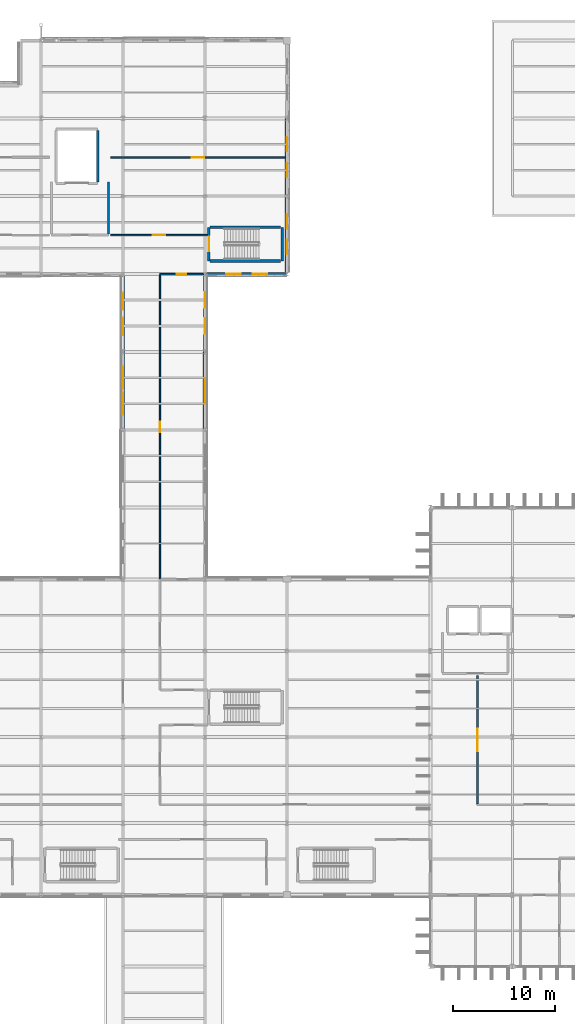
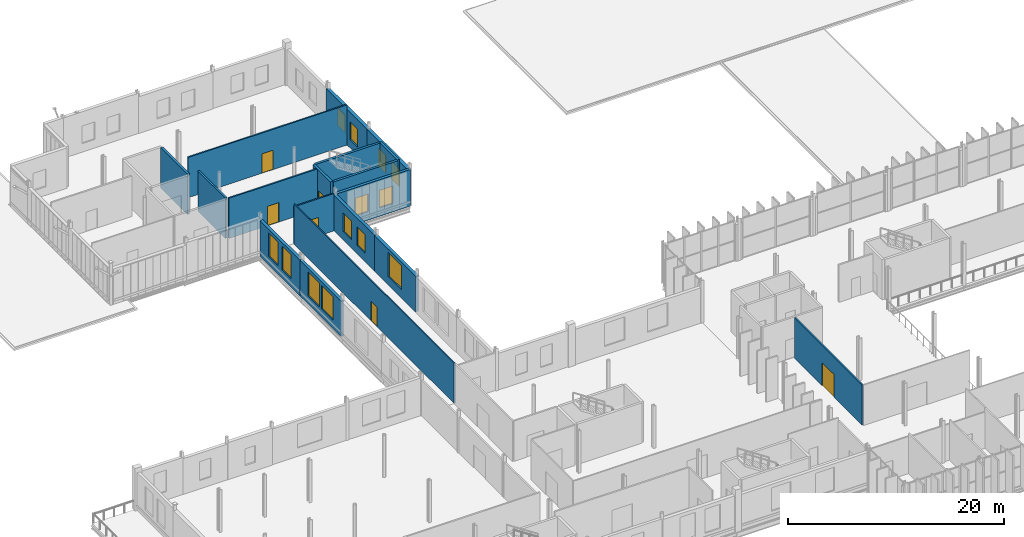
# One storey, part 98 of 120: 18 walls, 13 windows, 6 doors, 19 openings.
"""IFC4 building model written with IfcOpenShell, lengths in metres."""

from ifc_helpers import new_model, si_unit, direction, frame, frame_2d, origin, place, context, subcontext, project, spatial, rectangle, extrude, material, layer, layer_set, type_object, element, fill, save


model = new_model("IFC4")

# Units and contexts
model_context = context("Model", 3, precision=1e-05, world=origin(), true_north=direction((0.0, 1.0)))
body_context = subcontext(model_context, "Body", "Model", "MODEL_VIEW")
ifc_project = project(units=[si_unit("LENGTHUNIT", "METRE"), si_unit("AREAUNIT", "SQUARE_METRE"), si_unit("VOLUMEUNIT", "CUBIC_METRE"), si_unit("PLANEANGLEUNIT", "RADIAN"), si_unit("MASSUNIT", "GRAM", prefix="KILO")], contexts=[model_context])

# Site, building, storey
site_placement = place(None, origin())
site = spatial("IfcSite", under=ifc_project, at=site_placement, CompositionType="ELEMENT")
building_placement = place(site_placement, origin())
building = spatial("IfcBuilding", under=site, at=building_placement, Name="Vekula Escarpment Museum", CompositionType="ELEMENT")
storey_placement = place(building_placement, frame((0.0, 0.0, 13.199951171875)))
storey = spatial("IfcBuildingStorey", under=building, at=storey_placement, Name="L03", CompositionType="ELEMENT", Elevation=13.199951171875)

# Wall, openings, windows
ifc_material_1 = material(Name="Inkisi arkosic sandstone masonry", Category="masonry")
ifc_layer_1 = layer(ifc_material_1, 0.300048828125)
ifc_layer_set_1 = layer_set([ifc_layer_1], Name="Inkisi arkosic sandstone masonry")
wall_type_1 = type_object("IfcWallType", Name="WL-ALM-300", PredefinedType="SOLIDWALL", material=ifc_layer_set_1)
wall_1_placement = place(storey_placement, frame((56.0, 113.199951171875, 0.0), z_axis=(0.0, 0.0, 1.0), x_axis=(-1.0, 0.0, 0.0)))
wall_1 = element("IfcWall", 1, at=wall_1_placement, inside=storey, type_object=wall_type_1, Name="Exterior Wall WL-EXT-L03-0655", PredefinedType="SOLIDWALL", context=body_context, shape_type="SweptSolid", body=[
    extrude(rectangle(XDim=7.8359375, YDim=0.300048828125, at=frame_2d((3.91796875, 0.0))), origin(), (0.0, 0.0, 1.0), 4.14501953125),
])
opening_1_placement = place(wall_1_placement, frame((1.912109375, 0.0, 0.949951171875)))
opening_1 = element("IfcOpeningElement", 2, at=opening_1_placement, cuts=wall_1, Name="Opening WN-09", PredefinedType="OPENING", context=body_context, shape_type="SweptSolid", body=[
    extrude(rectangle(XDim=1.39990234375, YDim=2.0, at=frame_2d((0.699951171875, 1.0))), frame((0.0, 0.159912109375, 0.0), z_axis=(0.0, -1.0, 0.0), x_axis=(1.0, 0.0, 0.0)), (0.0, 0.0, 1.0), 0.320068359375),
])
opening_2_placement = place(wall_1_placement, frame((4.52392578125, 0.0, 0.949951171875)))
opening_2 = element("IfcOpeningElement", 3, at=opening_2_placement, cuts=wall_1, Name="Opening WN-09", PredefinedType="OPENING", context=body_context, shape_type="SweptSolid", body=[
    extrude(rectangle(XDim=1.39990234375, YDim=2.0, at=frame_2d((0.699951171875, 1.0))), frame((0.0, 0.159912109375, 0.0), z_axis=(0.0, -1.0, 0.0), x_axis=(1.0, 0.0, 0.0)), (0.0, 0.0, 1.0), 0.320068359375),
])
ifc_material_2 = material(Name="Double solar-control low-E glass", Category="glass")
window_type_1 = type_object("IfcWindowType", Name="WN-LAB-14x20", PartitioningType="SINGLE_PANEL", PredefinedType="WINDOW", material=ifc_material_2)
window_1_placement = place(opening_1_placement, origin())
window_1 = element("IfcWindow", 4, at=window_1_placement, inside=storey, type_object=window_type_1, Name="Window L03-0318", OverallHeight=2.0, OverallWidth=1.39990234375, PartitioningType="SINGLE_PANEL", PredefinedType="WINDOW", context=body_context, shape_type="SweptSolid", body=[
    extrude(rectangle(XDim=1.39990234375, YDim=2.0, at=frame_2d((0.699951171875, 1.0))), frame((0.0, 0.030029296875, 0.0), z_axis=(0.0, -1.0, 0.0), x_axis=(1.0, 0.0, 0.0)), (0.0, 0.0, 1.0), 0.06005859375),
])
fill(opening_1, window_1)
window_2_placement = place(opening_2_placement, origin())
window_2 = element("IfcWindow", 5, at=window_2_placement, inside=storey, type_object=window_type_1, Name="Window L03-0319", OverallHeight=2.0, OverallWidth=1.39990234375, PartitioningType="SINGLE_PANEL", PredefinedType="WINDOW", context=body_context, shape_type="SweptSolid", body=[
    extrude(rectangle(XDim=1.39990234375, YDim=2.0, at=frame_2d((0.699951171875, 1.0))), frame((0.0, 0.030029296875, 0.0), z_axis=(0.0, -1.0, 0.0), x_axis=(1.0, 0.0, 0.0)), (0.0, 0.0, 1.0), 0.06005859375),
])
fill(opening_2, window_2)

wall_2_placement = place(storey_placement, frame((40.0, 98.0, 0.0), z_axis=(0.0, 0.0, 1.0), x_axis=(0.0, 1.0, 0.0)))
wall_2 = element("IfcWall", 6, at=wall_2_placement, inside=storey, type_object=wall_type_1, Name="Exterior Wall WL-EXT-L03-0671", PredefinedType="SOLIDWALL", context=body_context, shape_type="SweptSolid", body=[
    extrude(rectangle(XDim=7.60009765625, YDim=0.300048828125, at=frame_2d((3.800048828125, 0.0))), origin(), (0.0, 0.0, 1.0), 4.045166015625),
])
opening_3_placement = place(wall_2_placement, frame((1.458251953125, 0.0, 0.949951171875)))
opening_3 = element("IfcOpeningElement", 7, at=opening_3_placement, cuts=wall_2, Name="Opening WN-21", PredefinedType="OPENING", context=body_context, shape_type="SweptSolid", body=[
    extrude(rectangle(XDim=2.14990234375, YDim=2.699951171875, at=frame_2d((1.074951171875, 1.35009765625))), frame((0.0, 0.159912109375, 0.0), z_axis=(0.0, -1.0, 0.0), x_axis=(1.0, 0.0, 0.0)), (0.0, 0.0, 1.0), 0.320068359375),
])
opening_4_placement = place(wall_2_placement, frame((3.99169921875, 0.0, 0.949951171875)))
opening_4 = element("IfcOpeningElement", 8, at=opening_4_placement, cuts=wall_2, Name="Opening WN-21", PredefinedType="OPENING", context=body_context, shape_type="SweptSolid", body=[
    extrude(rectangle(XDim=2.14990234375, YDim=2.699951171875, at=frame_2d((1.074951171875, 1.35009765625))), frame((0.0, 0.159912109375, 0.0), z_axis=(0.0, -1.0, 0.0), x_axis=(1.0, 0.0, 0.0)), (0.0, 0.0, 1.0), 0.320068359375),
])
ifc_material_3 = material(Name="Double solar-control low-E glass", Category="glass")
window_type_2 = type_object("IfcWindowType", Name="WN-GAL-21x31", PartitioningType="DOUBLE_PANEL_VERTICAL", PredefinedType="WINDOW", material=ifc_material_3)
window_3_placement = place(opening_3_placement, origin())
window_3 = element("IfcWindow", 9, at=window_3_placement, inside=storey, type_object=window_type_2, Name="Window L03-0343", OverallHeight=2.699951171875, OverallWidth=2.14990234375, PartitioningType="SINGLE_PANEL", PredefinedType="WINDOW", context=body_context, shape_type="SweptSolid", body=[
    extrude(rectangle(XDim=2.14990234375, YDim=2.699951171875, at=frame_2d((1.074951171875, 1.35009765625))), frame((0.0, 0.030029296875, 0.0), z_axis=(0.0, -1.0, 0.0), x_axis=(1.0, 0.0, 0.0)), (0.0, 0.0, 1.0), 0.06005859375),
])
fill(opening_3, window_3)
window_4_placement = place(opening_4_placement, origin())
window_4 = element("IfcWindow", 10, at=window_4_placement, inside=storey, type_object=window_type_2, Name="Window L03-0344", OverallHeight=2.699951171875, OverallWidth=2.14990234375, PartitioningType="SINGLE_PANEL", PredefinedType="WINDOW", context=body_context, shape_type="SweptSolid", body=[
    extrude(rectangle(XDim=2.14990234375, YDim=2.699951171875, at=frame_2d((1.074951171875, 1.35009765625))), frame((0.0, 0.030029296875, 0.0), z_axis=(0.0, -1.0, 0.0), x_axis=(1.0, 0.0, 0.0)), (0.0, 0.0, 1.0), 0.06005859375),
])
fill(opening_4, window_4)

ifc_material_4 = material(Name="Inkisi arkosic sandstone masonry", Category="masonry")
ifc_layer_2 = layer(ifc_material_4, 0.320068359375)
ifc_layer_set_2 = layer_set([ifc_layer_2], Name="Inkisi arkosic sandstone masonry")
wall_type_2 = type_object("IfcWallType", Name="WL-ALM-320", PredefinedType="SOLIDWALL", material=ifc_layer_set_2)
wall_3_placement = place(storey_placement, frame((48.0, 113.199951171875, 0.0), z_axis=(0.0, 0.0, 1.0), x_axis=(0.0, -1.0, 0.0)))
wall_3 = element("IfcWall", 11, at=wall_3_placement, inside=storey, type_object=wall_type_2, Name="Exterior Wall WL-EXT-L03-0654", PredefinedType="SOLIDWALL", context=body_context, shape_type="SweptSolid", body=[
    extrude(rectangle(XDim=7.599853515625, YDim=0.320068359375, at=frame_2d((3.7998046875, 0.0))), origin(), (0.0, 0.0, 1.0), 4.045166015625),
])
opening_5_placement = place(wall_3_placement, frame((1.75830078125, 0.0, 0.949951171875)))
opening_5 = element("IfcOpeningElement", 12, at=opening_5_placement, cuts=wall_3, Name="Opening WN-24", PredefinedType="OPENING", context=body_context, shape_type="SweptSolid", body=[
    extrude(rectangle(XDim=1.550048828125, YDim=2.10009765625, at=frame_2d((0.77490234375, 1.050048828125))), frame((0.0, 0.169921875, 0.0), z_axis=(0.0, -1.0, 0.0), x_axis=(1.0, 0.0, 0.0)), (0.0, 0.0, 1.0), 0.340087890625),
])
opening_6_placement = place(wall_3_placement, frame((4.291748046875, 0.0, 0.949951171875)))
opening_6 = element("IfcOpeningElement", 13, at=opening_6_placement, cuts=wall_3, Name="Opening WN-24", PredefinedType="OPENING", context=body_context, shape_type="SweptSolid", body=[
    extrude(rectangle(XDim=1.550048828125, YDim=2.10009765625, at=frame_2d((0.77490234375, 1.050048828125))), frame((0.0, 0.169921875, 0.0), z_axis=(0.0, -1.0, 0.0), x_axis=(1.0, 0.0, 0.0)), (0.0, 0.0, 1.0), 0.340087890625),
])
ifc_material_5 = material(Name="Double solar-control low-E glass", Category="glass")
window_type_3 = type_object("IfcWindowType", Name="WN-GAL-15x21", PartitioningType="SINGLE_PANEL", PredefinedType="WINDOW", material=ifc_material_5)
window_5_placement = place(opening_5_placement, origin())
window_5 = element("IfcWindow", 14, at=window_5_placement, inside=storey, type_object=window_type_3, Name="Window L03-0316", OverallHeight=2.10009765625, OverallWidth=1.550048828125, PartitioningType="SINGLE_PANEL", PredefinedType="WINDOW", context=body_context, shape_type="SweptSolid", body=[
    extrude(rectangle(XDim=1.550048828125, YDim=2.10009765625, at=frame_2d((0.77490234375, 1.050048828125))), frame((0.0, 0.030029296875, 0.0), z_axis=(0.0, -1.0, 0.0), x_axis=(1.0, 0.0, 0.0)), (0.0, 0.0, 1.0), 0.06005859375),
])
fill(opening_5, window_5)
window_6_placement = place(opening_6_placement, origin())
window_6 = element("IfcWindow", 15, at=window_6_placement, inside=storey, type_object=window_type_3, Name="Window L03-0317", OverallHeight=2.10009765625, OverallWidth=1.550048828125, PartitioningType="SINGLE_PANEL", PredefinedType="WINDOW", context=body_context, shape_type="SweptSolid", body=[
    extrude(rectangle(XDim=1.550048828125, YDim=2.10009765625, at=frame_2d((0.77490234375, 1.050048828125))), frame((0.0, 0.030029296875, 0.0), z_axis=(0.0, -1.0, 0.0), x_axis=(1.0, 0.0, 0.0)), (0.0, 0.0, 1.0), 0.06005859375),
])
fill(opening_6, window_6)

wall_4_placement = place(storey_placement, frame((40.0, 105.60009765625, 0.0), z_axis=(0.0, 0.0, 1.0), x_axis=(0.0, 1.0, 0.0)))
wall_4 = element("IfcWall", 16, at=wall_4_placement, inside=storey, type_object=wall_type_2, Name="Exterior Wall WL-EXT-L03-0670", PredefinedType="SOLIDWALL", context=body_context, shape_type="SweptSolid", body=[
    extrude(rectangle(XDim=7.4208984375, YDim=0.320068359375, at=frame_2d((3.71044921875, 0.0))), origin(), (0.0, 0.0, 1.0), 4.045166015625),
])
opening_7_placement = place(wall_4_placement, frame((1.623779296875, 0.0, 0.949951171875)))
opening_7 = element("IfcOpeningElement", 17, at=opening_7_placement, cuts=wall_4, Name="Opening WN-19", PredefinedType="OPENING", context=body_context, shape_type="SweptSolid", body=[
    extrude(rectangle(XDim=1.699951171875, YDim=2.699951171875, at=frame_2d((0.85009765625, 1.35009765625))), frame((0.0, 0.169921875, 0.0), z_axis=(0.0, -1.0, 0.0), x_axis=(1.0, 0.0, 0.0)), (0.0, 0.0, 1.0), 0.340087890625),
])
opening_8_placement = place(wall_4_placement, frame((4.097412109375, 0.0, 0.949951171875)))
opening_8 = element("IfcOpeningElement", 18, at=opening_8_placement, cuts=wall_4, Name="Opening WN-19", PredefinedType="OPENING", context=body_context, shape_type="SweptSolid", body=[
    extrude(rectangle(XDim=1.699951171875, YDim=2.699951171875, at=frame_2d((0.85009765625, 1.35009765625))), frame((0.0, 0.169921875, 0.0), z_axis=(0.0, -1.0, 0.0), x_axis=(1.0, 0.0, 0.0)), (0.0, 0.0, 1.0), 0.340087890625),
])
ifc_material_6 = material(Name="Double solar-control low-E glass", Category="glass")
window_type_4 = type_object("IfcWindowType", Name="WN-GAL-17x27", PartitioningType="DOUBLE_PANEL_VERTICAL", PredefinedType="WINDOW", material=ifc_material_6)
window_7_placement = place(opening_7_placement, origin())
window_7 = element("IfcWindow", 19, at=window_7_placement, inside=storey, type_object=window_type_4, Name="Window L03-0341", OverallHeight=2.699951171875, OverallWidth=1.699951171875, PartitioningType="SINGLE_PANEL", PredefinedType="WINDOW", context=body_context, shape_type="SweptSolid", body=[
    extrude(rectangle(XDim=1.699951171875, YDim=2.699951171875, at=frame_2d((0.85009765625, 1.35009765625))), frame((0.0, 0.030029296875, 0.0), z_axis=(0.0, -1.0, 0.0), x_axis=(1.0, 0.0, 0.0)), (0.0, 0.0, 1.0), 0.06005859375),
])
fill(opening_7, window_7)
window_8_placement = place(opening_8_placement, origin())
window_8 = element("IfcWindow", 20, at=window_8_placement, inside=storey, type_object=window_type_4, Name="Window L03-0342", OverallHeight=2.699951171875, OverallWidth=1.699951171875, PartitioningType="SINGLE_PANEL", PredefinedType="WINDOW", context=body_context, shape_type="SweptSolid", body=[
    extrude(rectangle(XDim=1.699951171875, YDim=2.699951171875, at=frame_2d((0.85009765625, 1.35009765625))), frame((0.0, 0.030029296875, 0.0), z_axis=(0.0, -1.0, 0.0), x_axis=(1.0, 0.0, 0.0)), (0.0, 0.0, 1.0), 0.06005859375),
])
fill(opening_8, window_8)

# Wall, opening, window
ifc_material_7 = material(Name="Inkisi arkosic sandstone masonry", Category="masonry")
ifc_layer_3 = layer(ifc_material_7, 0.35009765625)
ifc_layer_set_3 = layer_set([ifc_layer_3], Name="Inkisi arkosic sandstone masonry")
wall_type_3 = type_object("IfcWallType", Name="WL-ALM-350", PredefinedType="SOLIDWALL", material=ifc_layer_set_3)
wall_5_placement = place(storey_placement, frame((48.0, 105.60009765625, 0.0), z_axis=(0.0, 0.0, 1.0), x_axis=(0.0, -1.0, 0.0)))
wall_5 = element("IfcWall", 21, at=wall_5_placement, inside=storey, type_object=wall_type_3, Name="Exterior Wall WL-EXT-L03-0653", PredefinedType="SOLIDWALL", context=body_context, shape_type="SweptSolid", body=[
    extrude(rectangle(XDim=7.60009765625, YDim=0.35009765625, at=frame_2d((3.800048828125, 0.0))), origin(), (0.0, 0.0, 1.0), 4.045166015625),
])
opening_9_placement = place(wall_5_placement, frame((2.550048828125, 0.0, 0.949951171875)))
opening_9 = element("IfcOpeningElement", 22, at=opening_9_placement, cuts=wall_5, Name="Opening WN-23", PredefinedType="OPENING", context=body_context, shape_type="SweptSolid", body=[
    extrude(rectangle(XDim=2.5, YDim=2.699951171875, at=frame_2d((1.25, 1.35009765625))), frame((0.0, 0.18505859375, 0.0), z_axis=(0.0, -1.0, 0.0), x_axis=(1.0, 0.0, 0.0)), (0.0, 0.0, 1.0), 0.3701171875),
])
ifc_material_8 = material(Name="Double solar-control low-E glass", Category="glass")
window_type_5 = type_object("IfcWindowType", Name="WN-GAL-25x35", PartitioningType="TRIPLE_PANEL_VERTICAL", PredefinedType="WINDOW", material=ifc_material_8)
window_9_placement = place(opening_9_placement, origin())
window_9 = element("IfcWindow", 23, at=window_9_placement, inside=storey, type_object=window_type_5, Name="Window L03-0315", OverallHeight=2.699951171875, OverallWidth=2.5, PartitioningType="SINGLE_PANEL", PredefinedType="WINDOW", context=body_context, shape_type="SweptSolid", body=[
    extrude(rectangle(XDim=2.5, YDim=2.699951171875, at=frame_2d((1.25, 1.35009765625))), frame((0.0, 0.030029296875, 0.0), z_axis=(0.0, -1.0, 0.0), x_axis=(1.0, 0.0, 0.0)), (0.0, 0.0, 1.0), 0.06005859375),
])
fill(opening_9, window_9)

# Wall, openings, windows
wall_6_placement = place(storey_placement, frame((56.0, 128.39990234375, 0.0), z_axis=(0.0, 0.0, 1.0), x_axis=(0.0, -1.0, 0.0)))
wall_6 = element("IfcWall", 24, at=wall_6_placement, inside=storey, type_object=wall_type_3, Name="Exterior Wall WL-EXT-L03-0657", PredefinedType="SOLIDWALL", context=body_context, shape_type="SweptSolid", body=[
    extrude(rectangle(XDim=7.599853515625, YDim=0.35009765625, at=frame_2d((3.7998046875, 0.0))), origin(), (0.0, 0.0, 1.0), 4.045166015625),
])
opening_10_placement = place(wall_6_placement, frame((1.833251953125, 0.0, 0.949951171875)))
opening_10 = element("IfcOpeningElement", 25, at=opening_10_placement, cuts=wall_6, Name="Opening WN-09", PredefinedType="OPENING", context=body_context, shape_type="SweptSolid", body=[
    extrude(rectangle(XDim=1.39990234375, YDim=2.0, at=frame_2d((0.699951171875, 1.0))), frame((0.0, 0.18505859375, 0.0), z_axis=(0.0, -1.0, 0.0), x_axis=(1.0, 0.0, 0.0)), (0.0, 0.0, 1.0), 0.3701171875),
])
opening_11_placement = place(wall_6_placement, frame((4.36669921875, 0.0, 0.949951171875)))
opening_11 = element("IfcOpeningElement", 26, at=opening_11_placement, cuts=wall_6, Name="Opening WN-09", PredefinedType="OPENING", context=body_context, shape_type="SweptSolid", body=[
    extrude(rectangle(XDim=1.39990234375, YDim=2.0, at=frame_2d((0.699951171875, 1.0))), frame((0.0, 0.18505859375, 0.0), z_axis=(0.0, -1.0, 0.0), x_axis=(1.0, 0.0, 0.0)), (0.0, 0.0, 1.0), 0.3701171875),
])
window_10_placement = place(opening_10_placement, origin())
window_10 = element("IfcWindow", 27, at=window_10_placement, inside=storey, type_object=window_type_1, Name="Window L03-0322", OverallHeight=2.0, OverallWidth=1.39990234375, PartitioningType="SINGLE_PANEL", PredefinedType="WINDOW", context=body_context, shape_type="SweptSolid", body=[
    extrude(rectangle(XDim=1.39990234375, YDim=2.0, at=frame_2d((0.699951171875, 1.0))), frame((0.0, 0.030029296875, 0.0), z_axis=(0.0, -1.0, 0.0), x_axis=(1.0, 0.0, 0.0)), (0.0, 0.0, 1.0), 0.06005859375),
])
fill(opening_10, window_10)
window_11_placement = place(opening_11_placement, origin())
window_11 = element("IfcWindow", 28, at=window_11_placement, inside=storey, type_object=window_type_1, Name="Window L03-0323", OverallHeight=2.0, OverallWidth=1.39990234375, PartitioningType="SINGLE_PANEL", PredefinedType="WINDOW", context=body_context, shape_type="SweptSolid", body=[
    extrude(rectangle(XDim=1.39990234375, YDim=2.0, at=frame_2d((0.699951171875, 1.0))), frame((0.0, 0.030029296875, 0.0), z_axis=(0.0, -1.0, 0.0), x_axis=(1.0, 0.0, 0.0)), (0.0, 0.0, 1.0), 0.06005859375),
])
fill(opening_11, window_11)

ifc_material_9 = material(Name="Inkisi arkosic sandstone masonry", Category="masonry")
ifc_layer_4 = layer(ifc_material_9, 0.3798828125)
ifc_layer_set_4 = layer_set([ifc_layer_4], Name="Inkisi arkosic sandstone masonry")
wall_type_4 = type_object("IfcWallType", Name="WL-ALM-380", PredefinedType="SOLIDWALL", material=ifc_layer_set_4)
wall_7_placement = place(storey_placement, frame((56.0, 120.800048828125, 0.0), z_axis=(0.0, 0.0, 1.0), x_axis=(0.0, -1.0, 0.0)))
wall_7 = element("IfcWall", 29, at=wall_7_placement, inside=storey, type_object=wall_type_4, Name="Exterior Wall WL-EXT-L03-0656", PredefinedType="SOLIDWALL", context=body_context, shape_type="SweptSolid", body=[
    extrude(rectangle(XDim=7.446044921875, YDim=0.3798828125, at=frame_2d((3.72314453125, 0.0))), origin(), (0.0, 0.0, 1.0), 4.045166015625),
])
opening_12_placement = place(wall_7_placement, frame((1.781982421875, 0.0, 0.949951171875)))
opening_12 = element("IfcOpeningElement", 30, at=opening_12_placement, cuts=wall_7, Name="Opening WN-09", PredefinedType="OPENING", context=body_context, shape_type="SweptSolid", body=[
    extrude(rectangle(XDim=1.39990234375, YDim=2.0, at=frame_2d((0.699951171875, 1.0))), frame((0.0, 0.199951171875, 0.0), z_axis=(0.0, -1.0, 0.0), x_axis=(1.0, 0.0, 0.0)), (0.0, 0.0, 1.0), 0.39990234375),
])
opening_13_placement = place(wall_7_placement, frame((4.263916015625, 0.0, 0.949951171875)))
opening_13 = element("IfcOpeningElement", 31, at=opening_13_placement, cuts=wall_7, Name="Opening WN-09", PredefinedType="OPENING", context=body_context, shape_type="SweptSolid", body=[
    extrude(rectangle(XDim=1.39990234375, YDim=2.0, at=frame_2d((0.699951171875, 1.0))), frame((0.0, 0.199951171875, 0.0), z_axis=(0.0, -1.0, 0.0), x_axis=(1.0, 0.0, 0.0)), (0.0, 0.0, 1.0), 0.39990234375),
])
window_12_placement = place(opening_12_placement, origin())
window_12 = element("IfcWindow", 32, at=window_12_placement, inside=storey, type_object=window_type_1, Name="Window L03-0320", OverallHeight=2.0, OverallWidth=1.39990234375, PartitioningType="SINGLE_PANEL", PredefinedType="WINDOW", context=body_context, shape_type="SweptSolid", body=[
    extrude(rectangle(XDim=1.39990234375, YDim=2.0, at=frame_2d((0.699951171875, 1.0))), frame((0.0, 0.030029296875, 0.0), z_axis=(0.0, -1.0, 0.0), x_axis=(1.0, 0.0, 0.0)), (0.0, 0.0, 1.0), 0.06005859375),
])
fill(opening_12, window_12)
window_13_placement = place(opening_13_placement, origin())
window_13 = element("IfcWindow", 33, at=window_13_placement, inside=storey, type_object=window_type_1, Name="Window L03-0321", OverallHeight=2.0, OverallWidth=1.39990234375, PartitioningType="SINGLE_PANEL", PredefinedType="WINDOW", context=body_context, shape_type="SweptSolid", body=[
    extrude(rectangle(XDim=1.39990234375, YDim=2.0, at=frame_2d((0.699951171875, 1.0))), frame((0.0, 0.030029296875, 0.0), z_axis=(0.0, -1.0, 0.0), x_axis=(1.0, 0.0, 0.0)), (0.0, 0.0, 1.0), 0.06005859375),
])
fill(opening_13, window_13)

# Wall, opening, door
ifc_material_10 = material(Name="Concrete C35/45", Category="concrete")
ifc_layer_5 = layer(ifc_material_10, 0.25)
ifc_layer_set_5 = layer_set([ifc_layer_5], Name="Concrete C35/45")
wall_type_5 = type_object("IfcWallType", Name="WL-CORE-250", PredefinedType="SHEAR", material=ifc_layer_set_5)
wall_8_placement = place(storey_placement, frame((48.375, 114.47509765625, 0.0), z_axis=(0.0, 0.0, 1.0), x_axis=(0.0, 1.0, 0.0)))
wall_8 = element("IfcWall", 34, at=wall_8_placement, inside=storey, type_object=wall_type_5, Name="Stair Core Wall ST-03 L03 W", PredefinedType="SHEAR", context=body_context, shape_type="SweptSolid", body=[
    extrude(rectangle(XDim=3.289794921875, YDim=0.25, at=frame_2d((1.64501953125, 0.0))), origin(), (0.0, 0.0, 1.0), 4.56005859375),
])
opening_14_placement = place(wall_8_placement, frame((0.945068359375, 0.0, 0.0)))
opening_14 = element("IfcOpeningElement", 35, at=opening_14_placement, cuts=wall_8, Name="Opening DR-FD60", PredefinedType="OPENING", context=body_context, shape_type="SweptSolid", body=[
    extrude(rectangle(XDim=1.39990234375, YDim=2.199951171875, at=frame_2d((0.699951171875, 1.10009765625))), frame((0.0, 0.135009765625, 0.0), z_axis=(0.0, -1.0, 0.0), x_axis=(1.0, 0.0, 0.0)), (0.0, 0.0, 1.0), 0.27001953125),
])
ifc_material_11 = material(Name="Fire-rated steel stair door", Category="steel")
door_type_1 = type_object("IfcDoorType", Name="DR-STAIR-1400x2200", OperationType="NOTDEFINED", PredefinedType="DOOR", material=ifc_material_11)
door_1_placement = place(opening_14_placement, origin())
door_1 = element("IfcDoor", 36, at=door_1_placement, inside=storey, type_object=door_type_1, Name="Protected Exit Stair Door ST-03 L03", OperationType="SINGLE_SWING_RIGHT", OverallHeight=2.199951171875, OverallWidth=1.39990234375, PredefinedType="DOOR", context=body_context, shape_type="SweptSolid", body=[
    extrude(rectangle(XDim=1.39990234375, YDim=2.199951171875, at=frame_2d((0.699951171875, 1.10009765625))), frame((0.0, 0.02490234375, 0.0), z_axis=(0.0, -1.0, 0.0), x_axis=(1.0, 0.0, 0.0)), (0.0, 0.0, 1.0), 0.050048828125),
])
fill(opening_14, door_1)

# Walls
wall_9_placement = place(storey_placement, frame((55.52490234375, 114.47509765625, 0.0), z_axis=(0.0, 0.0, 1.0), x_axis=(0.0, 1.0, 0.0)))
element("IfcWall", 37, at=wall_9_placement, inside=storey, type_object=wall_type_5, Name="Stair Core Wall ST-03 L03 E", PredefinedType="SHEAR", context=body_context, shape_type="SweptSolid", body=[
    extrude(rectangle(XDim=3.289794921875, YDim=0.25, at=frame_2d((1.64501953125, 0.0))), origin(), (0.0, 0.0, 1.0), 4.56005859375),
])
for number, where, z_axis, x_axis, name in (
    (38, (48.50390625, 114.47509765625, 0.0), (0.0, 0.0, 1.0), (1.0, 0.0, 0.0), "Stair Core Wall ST-03 L03 S"),
    (39, (48.50390625, 117.764892578125, 0.0), (0.0, 0.0, 1.0), (1.0, 0.0, 0.0), "Stair Core Wall ST-03 L03 N"),
):
    element("IfcWall", number, at=place(storey_placement, frame(where, z_axis=z_axis, x_axis=x_axis)), inside=storey, type_object=wall_type_5, Name=name, PredefinedType="SHEAR", context=body_context, shape_type="SweptSolid", body=[
        extrude(rectangle(XDim=6.89208984375, YDim=0.25, at=frame_2d((3.446044921875, 0.0))), origin(), (0.0, 0.0, 1.0), 4.56005859375),
    ])
ifc_material_12 = material(Name="Concrete C35/45", Category="concrete")
ifc_layer_6 = layer(ifc_material_12, 0.199951171875)
ifc_layer_set_6 = layer_set([ifc_layer_6], Name="Concrete C35/45")
wall_type_6 = type_object("IfcWallType", Name="WL-FFL-200", PredefinedType="PARTITIONING", material=ifc_layer_set_6)
wall_10_placement = place(storey_placement, frame((38.60009765625, 117.10400390625, 0.0), z_axis=(0.0, 0.0, 1.0), x_axis=(0.0, 1.0, 0.0)))
element("IfcWall", 40, at=wall_10_placement, inside=storey, type_object=wall_type_6, Name="Lift Lobby Wall GL-01 L03 E", PredefinedType="PARTITIONING", context=body_context, shape_type="SweptSolid", body=[
    extrude(rectangle(XDim=5.095947265625, YDim=0.199951171875, at=frame_2d((2.5478515625, 0.0))), origin(), (0.0, 0.0, 1.0), 4.56005859375),
])

# Wall, opening, door
ifc_material_13 = material(Name="Lightweight studio partition", Category="gypsum")
ifc_layer_7 = layer(ifc_material_13, 0.1201171875)
ifc_layer_set_7 = layer_set([ifc_layer_7], Name="Lightweight studio partition")
wall_type_7 = type_object("IfcWallType", Name="WL-PART-120", PredefinedType="PARTITIONING", material=ifc_layer_set_7)
wall_11_placement = place(storey_placement, frame((43.60009765625, 83.39990234375, 0.0), z_axis=(0.0, 0.0, 1.0), x_axis=(0.0, 1.0, 0.0)))
wall_11 = element("IfcWall", 41, at=wall_11_placement, inside=storey, type_object=wall_type_7, Name="Interior Partition WL-INT-L03-0006", PredefinedType="PARTITIONING", context=body_context, shape_type="SweptSolid", body=[
    extrude(rectangle(XDim=29.72119140625, YDim=0.1201171875, at=frame_2d((14.860595703125, 0.0))), origin(), (0.0, 0.0, 1.0), 4.56005859375),
])
opening_15_placement = place(wall_11_placement, frame((14.33544921875, 0.0, 0.0)))
opening_15 = element("IfcOpeningElement", 42, at=opening_15_placement, cuts=wall_11, Name="Opening DR-CR10", PredefinedType="OPENING", context=body_context, shape_type="SweptSolid", body=[
    extrude(rectangle(XDim=1.050048828125, YDim=2.199951171875, at=frame_2d((0.52490234375, 1.10009765625))), frame((0.0, 0.070068359375, 0.0), z_axis=(0.0, -1.0, 0.0), x_axis=(1.0, 0.0, 0.0)), (0.0, 0.0, 1.0), 0.14013671875),
])
ifc_material_14 = material(Name="Solid hardwood curatorial door", Category="wood")
door_type_2 = type_object("IfcDoorType", Name="DR-CUR-1050x2200", OperationType="NOTDEFINED", PredefinedType="DOOR", material=ifc_material_14)
door_2_placement = place(opening_15_placement, origin())
door_2 = element("IfcDoor", 43, at=door_2_placement, inside=storey, type_object=door_type_2, Name="Interior Door L03-006", OperationType="SINGLE_SWING_LEFT", OverallHeight=2.199951171875, OverallWidth=1.050048828125, PredefinedType="DOOR", context=body_context, shape_type="SweptSolid", body=[
    extrude(rectangle(XDim=1.050048828125, YDim=2.199951171875, at=frame_2d((0.52490234375, 1.10009765625))), frame((0.0, 0.02490234375, 0.0), z_axis=(0.0, -1.0, 0.0), x_axis=(1.0, 0.0, 0.0)), (0.0, 0.0, 1.0), 0.050048828125),
])
fill(opening_15, door_2)

ifc_material_15 = material(Name="Gypsum board dry-lined partition", Category="gypsum")
ifc_layer_8 = layer(ifc_material_15, 0.14990234375)
ifc_layer_set_8 = layer_set([ifc_layer_8], Name="Gypsum board dry-lined partition")
wall_type_8 = type_object("IfcWallType", Name="WL-PART-150", PredefinedType="PARTITIONING", material=ifc_layer_set_8)
wall_12_placement = place(storey_placement, frame((38.800048828125, 124.60009765625, 0.0), z_axis=(0.0, 0.0, 1.0), x_axis=(1.0, 0.0, 0.0)))
wall_12 = element("IfcWall", 44, at=wall_12_placement, inside=storey, type_object=wall_type_8, Name="Interior Partition WL-INT-L03-0002", PredefinedType="PARTITIONING", context=body_context, shape_type="SweptSolid", body=[
    extrude(rectangle(XDim=17.02099609375, YDim=0.14990234375, at=frame_2d((8.510498046875, 0.0))), origin(), (0.0, 0.0, 1.0), 4.56005859375),
])
opening_16_placement = place(wall_12_placement, frame((7.910400390625, 0.0, 0.0)))
opening_16 = element("IfcOpeningElement", 45, at=opening_16_placement, cuts=wall_12, Name="Opening DR-LB12", PredefinedType="OPENING", context=body_context, shape_type="SweptSolid", body=[
    extrude(rectangle(XDim=1.199951171875, YDim=2.199951171875, at=frame_2d((0.60009765625, 1.10009765625))), frame((0.0, 0.0849609375, 0.0), z_axis=(0.0, -1.0, 0.0), x_axis=(1.0, 0.0, 0.0)), (0.0, 0.0, 1.0), 0.169921875),
])
ifc_material_16 = material(Name="Sealed conservation laboratory door", Category="steel")
door_type_3 = type_object("IfcDoorType", Name="DR-LAB-1200x2200", OperationType="NOTDEFINED", PredefinedType="DOOR", material=ifc_material_16)
door_3_placement = place(opening_16_placement, origin())
door_3 = element("IfcDoor", 46, at=door_3_placement, inside=storey, type_object=door_type_3, Name="Interior Door L03-002", OperationType="SINGLE_SWING_LEFT", OverallHeight=2.199951171875, OverallWidth=1.199951171875, PredefinedType="DOOR", context=body_context, shape_type="SweptSolid", body=[
    extrude(rectangle(XDim=1.199951171875, YDim=2.199951171875, at=frame_2d((0.60009765625, 1.10009765625))), frame((0.0, 0.02490234375, 0.0), z_axis=(0.0, -1.0, 0.0), x_axis=(1.0, 0.0, 0.0)), (0.0, 0.0, 1.0), 0.050048828125),
])
fill(opening_16, door_3)

wall_13_placement = place(storey_placement, frame((43.60009765625, 113.199951171875, 0.0), z_axis=(0.0, 0.0, 1.0), x_axis=(1.0, 0.0, 0.0)))
wall_13 = element("IfcWall", 47, at=wall_13_placement, inside=storey, type_object=wall_type_8, Name="Interior Partition WL-INT-L03-0005", PredefinedType="PARTITIONING", context=body_context, shape_type="SweptSolid", body=[
    extrude(rectangle(XDim=4.23583984375, YDim=0.14990234375, at=frame_2d((2.117919921875, 0.0))), origin(), (0.0, 0.0, 1.0), 4.22509765625),
])
opening_17_placement = place(wall_13_placement, frame((1.64306640625, 0.0, 0.0)))
opening_17 = element("IfcOpeningElement", 48, at=opening_17_placement, cuts=wall_13, Name="Opening DR-OF09", PredefinedType="OPENING", context=body_context, shape_type="SweptSolid", body=[
    extrude(rectangle(XDim=0.949951171875, YDim=2.10009765625, at=frame_2d((0.47509765625, 1.050048828125))), frame((0.0, 0.0849609375, 0.0), z_axis=(0.0, -1.0, 0.0), x_axis=(1.0, 0.0, 0.0)), (0.0, 0.0, 1.0), 0.169921875),
])
ifc_material_17 = material(Name="Solid core timber office door", Category="wood")
door_type_4 = type_object("IfcDoorType", Name="DR-OFF-0950x2100", OperationType="NOTDEFINED", PredefinedType="DOOR", material=ifc_material_17)
door_4_placement = place(opening_17_placement, origin())
door_4 = element("IfcDoor", 49, at=door_4_placement, inside=storey, type_object=door_type_4, Name="Interior Door L03-005", OperationType="SINGLE_SWING_RIGHT", OverallHeight=2.10009765625, OverallWidth=0.949951171875, PredefinedType="DOOR", context=body_context, shape_type="SweptSolid", body=[
    extrude(rectangle(XDim=0.949951171875, YDim=2.10009765625, at=frame_2d((0.47509765625, 1.050048828125))), frame((0.0, 0.02490234375, 0.0), z_axis=(0.0, -1.0, 0.0), x_axis=(1.0, 0.0, 0.0)), (0.0, 0.0, 1.0), 0.050048828125),
])
fill(opening_17, door_4)

ifc_material_18 = material(Name="Gypsum board gallery partition", Category="gypsum")
ifc_layer_9 = layer(ifc_material_18, 0.159912109375)
ifc_layer_set_9 = layer_set([ifc_layer_9], Name="Gypsum board gallery partition")
wall_type_9 = type_object("IfcWallType", Name="WL-PART-160", PredefinedType="PARTITIONING", material=ifc_layer_set_9)
wall_14_placement = place(storey_placement, frame((38.800048828125, 117.0, 0.0), z_axis=(0.0, 0.0, 1.0), x_axis=(1.0, 0.0, 0.0)))
wall_14 = element("IfcWall", 50, at=wall_14_placement, inside=storey, type_object=wall_type_9, Name="Interior Partition WL-INT-L03-0004", PredefinedType="PARTITIONING", context=body_context, shape_type="SweptSolid", body=[
    extrude(rectangle(XDim=9.446044921875, YDim=0.159912109375, at=frame_2d((4.72314453125, 0.0))), origin(), (0.0, 0.0, 1.0), 4.56005859375),
])
opening_18_placement = place(wall_14_placement, frame((4.123046875, 0.0, 0.0)))
opening_18 = element("IfcOpeningElement", 51, at=opening_18_placement, cuts=wall_14, Name="Opening DR-LB12", PredefinedType="OPENING", context=body_context, shape_type="SweptSolid", body=[
    extrude(rectangle(XDim=1.199951171875, YDim=2.199951171875, at=frame_2d((0.60009765625, 1.10009765625))), frame((0.0, 0.08984375, 0.0), z_axis=(0.0, -1.0, 0.0), x_axis=(1.0, 0.0, 0.0)), (0.0, 0.0, 1.0), 0.179931640625),
])
door_5_placement = place(opening_18_placement, origin())
door_5 = element("IfcDoor", 52, at=door_5_placement, inside=storey, type_object=door_type_3, Name="Interior Door L03-004", OperationType="SINGLE_SWING_LEFT", OverallHeight=2.199951171875, OverallWidth=1.199951171875, PredefinedType="DOOR", context=body_context, shape_type="SweptSolid", body=[
    extrude(rectangle(XDim=1.199951171875, YDim=2.199951171875, at=frame_2d((0.60009765625, 1.10009765625))), frame((0.0, 0.02490234375, 0.0), z_axis=(0.0, -1.0, 0.0), x_axis=(1.0, 0.0, 0.0)), (0.0, 0.0, 1.0), 0.050048828125),
])
fill(opening_18, door_5)

wall_15_placement = place(storey_placement, frame((74.60009765625, 61.464111328125, 0.0), z_axis=(0.0, 0.0, 1.0), x_axis=(0.0, 1.0, 0.0)))
wall_15 = element("IfcWall", 53, at=wall_15_placement, inside=storey, type_object=wall_type_9, Name="Interior Partition WL-INT-L03-0025", PredefinedType="PARTITIONING", context=body_context, shape_type="SweptSolid", body=[
    extrude(rectangle(XDim=12.535888671875, YDim=0.159912109375, at=frame_2d((6.26806640625, 0.0))), origin(), (0.0, 0.0, 1.0), 4.56005859375),
])
opening_19_placement = place(wall_15_placement, frame((5.16796875, 0.0, 0.0)))
opening_19 = element("IfcOpeningElement", 54, at=opening_19_placement, cuts=wall_15, Name="Opening DR-GL22", PredefinedType="OPENING", context=body_context, shape_type="SweptSolid", body=[
    extrude(rectangle(XDim=2.199951171875, YDim=2.60009765625, at=frame_2d((1.10009765625, 1.300048828125))), frame((0.0, 0.08984375, 0.0), z_axis=(0.0, -1.0, 0.0), x_axis=(1.0, 0.0, 0.0)), (0.0, 0.0, 1.0), 0.179931640625),
])
ifc_material_19 = material(Name="Double acoustic timber gallery door", Category="wood")
door_type_5 = type_object("IfcDoorType", Name="DR-GAL-2200x2600", OperationType="NOTDEFINED", PredefinedType="DOOR", material=ifc_material_19)
door_6_placement = place(opening_19_placement, origin())
door_6 = element("IfcDoor", 55, at=door_6_placement, inside=storey, type_object=door_type_5, Name="Interior Door L03-024", OperationType="SINGLE_SWING_LEFT", OverallHeight=2.60009765625, OverallWidth=2.199951171875, PredefinedType="DOOR", context=body_context, shape_type="SweptSolid", body=[
    extrude(rectangle(XDim=2.199951171875, YDim=2.60009765625, at=frame_2d((1.10009765625, 1.300048828125))), frame((0.0, 0.02490234375, 0.0), z_axis=(0.0, -1.0, 0.0), x_axis=(1.0, 0.0, 0.0)), (0.0, 0.0, 1.0), 0.050048828125),
])
fill(opening_19, door_6)

# Wall
ifc_material_20 = material(Name="Concrete C35/45", Category="concrete")
ifc_layer_10 = layer(ifc_material_20, 0.239990234375)
ifc_layer_set_10 = layer_set([ifc_layer_10], Name="Concrete C35/45")
wall_type_10 = type_object("IfcWallType", Name="WL-SHF-240", PredefinedType="SHEAR", material=ifc_layer_set_10)
wall_16_placement = place(storey_placement, frame((37.52001953125, 122.2041015625, 0.0), z_axis=(0.0, 0.0, 1.0), x_axis=(0.0, 1.0, 0.0)))
element("IfcWall", 56, at=wall_16_placement, inside=storey, type_object=wall_type_10, Name="Lift Shaft Wall GL-01 L03 E", PredefinedType="SHEAR", context=body_context, shape_type="SweptSolid", body=[
    extrude(rectangle(XDim=4.991943359375, YDim=0.239990234375, at=frame_2d((2.49609375, 0.0))), origin(), (0.0, 0.0, 1.0), 4.56005859375),
])

save(model, "model.ifc")
